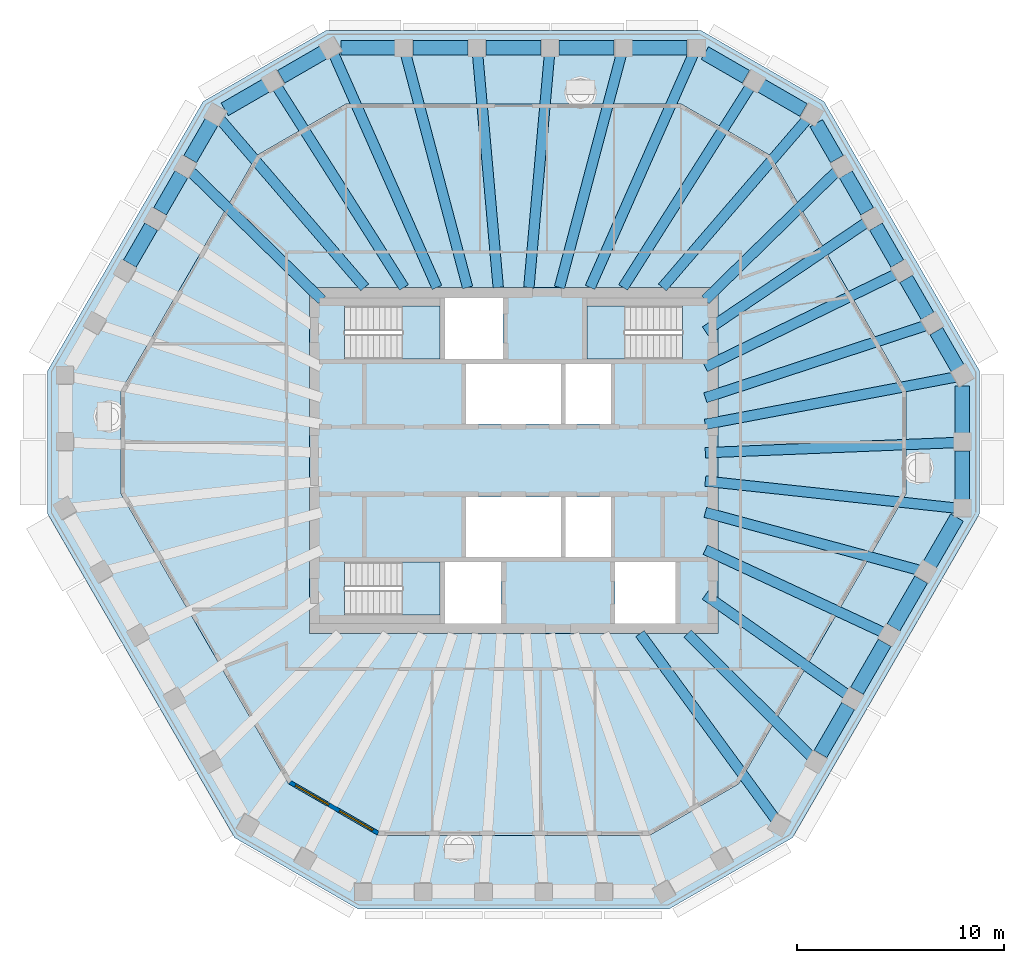
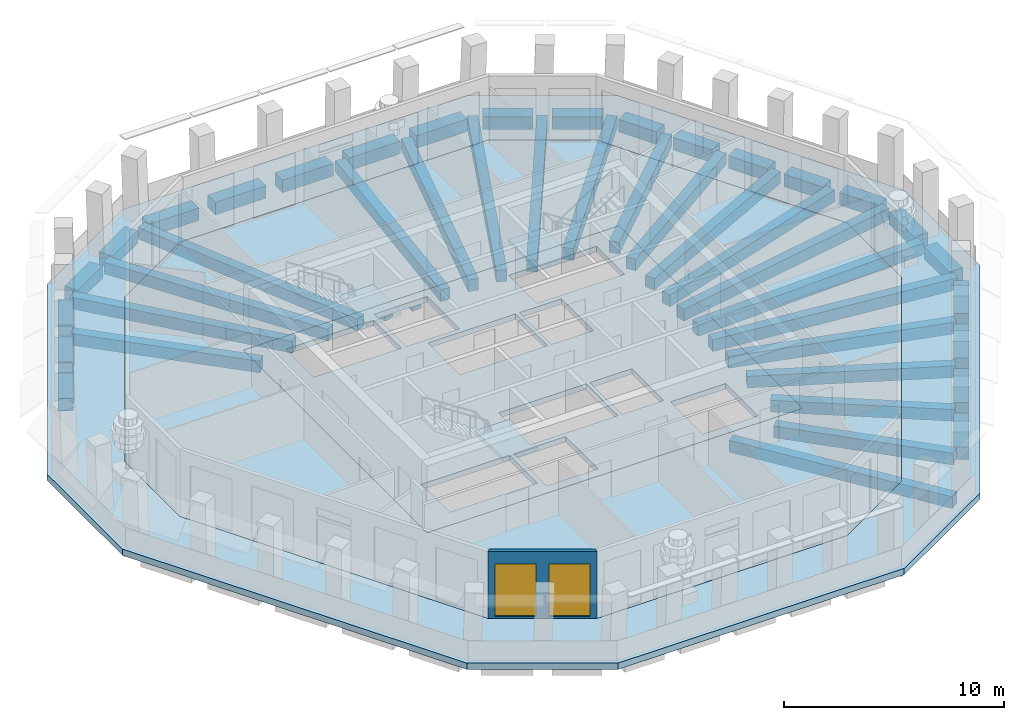
# One storey, part 2 of 11: 46 beams, 6 slabs, 2 windows, 1 wall, 2 openings, 3 elements without a shape of their own.
"""IFC4 building model written with IfcOpenShell, lengths in metres."""

from ifc_helpers import new_model, si_unit, direction, frame, frame_2d, origin, origin_2d, place, context, subcontext, project, spatial, polyline, rectangle, outline, extrude, material, layer, layer_set, material_profile, profile_set, type_object, element, fill, aggregate, save


model = new_model("IFC4")

# Units and contexts
model_context = context("Model", 3, precision=1e-05, world=origin(), true_north=direction((0.0, 1.0)))
body_context = subcontext(model_context, "Body", "Model", "MODEL_VIEW")
ifc_project = project(units=[si_unit("LENGTHUNIT", "METRE"), si_unit("AREAUNIT", "SQUARE_METRE"), si_unit("VOLUMEUNIT", "CUBIC_METRE"), si_unit("PLANEANGLEUNIT", "RADIAN"), si_unit("MASSUNIT", "GRAM", prefix="KILO")], contexts=[model_context])

# Site, building, storey
site_placement = place(None, origin())
site = spatial("IfcSite", under=ifc_project, at=site_placement, CompositionType="ELEMENT")
building_placement = place(site_placement, origin())
building = spatial("IfcBuilding", under=site, at=building_placement, Name="Frailejon Research Tower", CompositionType="ELEMENT")
storey_placement = place(building_placement, frame((0.0, 0.0, 336.60009765625)))
storey = spatial("IfcBuildingStorey", under=building, at=storey_placement, Name="L75", CompositionType="ELEMENT", Elevation=336.60009765625)

# Beams
ifc_material_1 = material(Name="Concrete C60/75", Category="concrete")
ifc_material_profile_1 = material_profile(ifc_material_1, rectangle(XDim=0.5, YDim=0.64990234375, at=origin_2d()), Name="Girder 500x650")
ifc_profile_set_1 = profile_set([ifc_material_profile_1], Name="Concrete C60/75")
beam_type_1 = type_object("IfcBeamType", Name="Girder 500x650", PredefinedType="BEAM", material=ifc_profile_set_1)
beam_1_placement = place(storey_placement, frame((21.359619140625, -2.29638671875, -0.625), z_axis=(-0.994269576225, 0.106901869922, 0.0), x_axis=(-0.106901869922, -0.994269576225, 0.0)))
element("IfcBeam", 1, at=beam_1_placement, inside=storey, type_object=beam_type_1, Name="Girder 500x650", PredefinedType="BEAM", context=body_context, shape_type="SweptSolid", body=[
    extrude(rectangle(XDim=0.5, YDim=0.64990234375, at=origin_2d()), origin(), (0.0, 0.0, 1.0), 12.179443359375),
])
beam_2_placement = place(storey_placement, frame((21.3603515625, 0.86865234375, -0.625), z_axis=(-0.999174322855, -0.040628469664, 0.0), x_axis=(0.040628469664, -0.999174322855, 0.0)))
element("IfcBeam", 2, at=beam_2_placement, inside=storey, type_object=beam_type_1, Name="Girder 500x650", PredefinedType="BEAM", context=body_context, shape_type="SweptSolid", body=[
    extrude(rectangle(XDim=0.5, YDim=0.64990234375, at=origin_2d()), origin(), (0.0, 0.0, 1.0), 12.120361328125),
])
beam_3_placement = place(storey_placement, frame((21.34033203125, 4.0302734375, -0.625), z_axis=(-0.98262828321, -0.185584635775, 0.0), x_axis=(0.185584635775, -0.98262828321, 0.0)))
element("IfcBeam", 3, at=beam_3_placement, inside=storey, type_object=beam_type_1, Name="Girder 500x650", PredefinedType="BEAM", context=body_context, shape_type="SweptSolid", body=[
    extrude(rectangle(XDim=0.5, YDim=0.64990234375, at=origin_2d()), origin(), (0.0, 0.0, 1.0), 12.303955078125),
])
beam_4_placement = place(storey_placement, frame((19.909423828125, 6.51904296875, -0.625), z_axis=(-0.950352429093, -0.311175610415, 0.0), x_axis=(0.311175610415, -0.950352429093, 0.0)))
element("IfcBeam", 4, at=beam_4_placement, inside=storey, type_object=beam_type_1, Name="Girder 500x650", PredefinedType="BEAM", context=body_context, shape_type="SweptSolid", body=[
    extrude(rectangle(XDim=0.5, YDim=0.64990234375, at=origin_2d()), origin(), (0.0, 0.0, 1.0), 11.21630859375),
])
beam_5_placement = place(storey_placement, frame((18.475830078125, 9.00830078125, -0.625), z_axis=(-0.898849583865, -0.438257259592, 0.0), x_axis=(0.438257259592, -0.898849583865, 0.0)))
element("IfcBeam", 5, at=beam_5_placement, inside=storey, type_object=beam_type_1, Name="Girder 500x650", PredefinedType="BEAM", context=body_context, shape_type="SweptSolid", body=[
    extrude(rectangle(XDim=0.5, YDim=0.64990234375, at=origin_2d()), origin(), (0.0, 0.0, 1.0), 10.26416015625),
])
beam_6_placement = place(storey_placement, frame((17.039306640625, 11.496337890625, -0.625), z_axis=(-0.828967634301, -0.559296577212, 0.0), x_axis=(0.559296577212, -0.828967634301, 0.0)))
element("IfcBeam", 6, at=beam_6_placement, inside=storey, type_object=beam_type_1, Name="Girder 500x650", PredefinedType="BEAM", context=body_context, shape_type="SweptSolid", body=[
    extrude(rectangle(XDim=0.5, YDim=0.64990234375, at=origin_2d()), origin(), (0.0, 0.0, 1.0), 9.396484375),
])
beam_7_placement = place(storey_placement, frame((15.605712890625, 13.97021484375, -0.625), z_axis=(-0.71468394908, -0.699447534078, 0.0), x_axis=(0.699447534078, -0.71468394908, 0.0)))
element("IfcBeam", 7, at=beam_7_placement, inside=storey, type_object=beam_type_1, Name="Girder 500x650", PredefinedType="BEAM", context=body_context, shape_type="SweptSolid", body=[
    extrude(rectangle(XDim=0.5, YDim=0.64990234375, at=origin_2d()), origin(), (0.0, 0.0, 1.0), 8.89306640625),
])
beam_8_placement = place(storey_placement, frame((14.172119140625, 16.479736328125, -0.625), z_axis=(-0.652024347393, -0.75819802849, 0.0), x_axis=(0.75819802849, -0.652024347393, 0.0)))
element("IfcBeam", 8, at=beam_8_placement, inside=storey, type_object=beam_type_1, Name="Girder 500x650", PredefinedType="BEAM", context=body_context, shape_type="SweptSolid", body=[
    extrude(rectangle(XDim=0.5, YDim=0.64990234375, at=origin_2d()), origin(), (0.0, 0.0, 1.0), 10.722412109375),
])
beam_9_placement = place(storey_placement, frame((11.4326171875, 18.064208984375, -0.625), z_axis=(-0.534798936876, -0.844979347154, 0.0), x_axis=(0.844979347154, -0.534798936876, 0.0)))
element("IfcBeam", 9, at=beam_9_placement, inside=storey, type_object=beam_type_1, Name="Girder 500x650", PredefinedType="BEAM", context=body_context, shape_type="SweptSolid", body=[
    extrude(rectangle(XDim=0.5, YDim=0.64990234375, at=origin_2d()), origin(), (0.0, 0.0, 1.0), 11.496337890625),
])
beam_10_placement = place(storey_placement, frame((8.676025390625, 19.6123046875, -0.625), z_axis=(-0.404561496054, -0.914510795951, 0.0), x_axis=(0.914510795951, -0.404561496054, 0.0)))
element("IfcBeam", 10, at=beam_10_placement, inside=storey, type_object=beam_type_1, Name="Girder 500x650", PredefinedType="BEAM", context=body_context, shape_type="SweptSolid", body=[
    extrude(rectangle(XDim=0.5, YDim=0.64990234375, at=origin_2d()), origin(), (0.0, 0.0, 1.0), 12.31494140625),
])
beam_11_placement = place(storey_placement, frame((5.207763671875, 19.6201171875, -0.625), z_axis=(-0.256550865302, -0.966530730765, 0.0), x_axis=(0.966530730765, -0.256550865302, 0.0)))
element("IfcBeam", 11, at=beam_11_placement, inside=storey, type_object=beam_type_1, Name="Girder 500x650", PredefinedType="BEAM", context=body_context, shape_type="SweptSolid", body=[
    extrude(rectangle(XDim=0.5, YDim=0.64990234375, at=origin_2d()), origin(), (0.0, 0.0, 1.0), 11.660400390625),
])
for number, where, z_axis, x_axis, name in (
    (12, (1.736328125, 19.62451171875, -0.625), (-0.088135541258, -0.996108491263, 0.0), (0.996108491263, -0.088135541258, 0.0), "Girder 500x650"),
    (13, (-1.736328125, 19.62451171875, -0.625), (0.088135541258, -0.996108491263, 0.0), (0.996108491263, 0.088135541258, 0.0), "Girder 500x650"),
):
    element("IfcBeam", number, at=place(storey_placement, frame(where, z_axis=z_axis, x_axis=x_axis)), inside=storey, type_object=beam_type_1, Name=name, PredefinedType="BEAM", context=body_context, shape_type="SweptSolid", body=[
        extrude(rectangle(XDim=0.5, YDim=0.64990234375, at=origin_2d()), origin(), (0.0, 0.0, 1.0), 11.318359375),
    ])
beam_12_placement = place(storey_placement, frame((-5.207763671875, 19.6201171875, -0.625), z_axis=(0.256550865302, -0.966530730765, 0.0), x_axis=(0.966530730765, 0.256550865302, 0.0)))
element("IfcBeam", 14, at=beam_12_placement, inside=storey, type_object=beam_type_1, Name="Girder 500x650", PredefinedType="BEAM", context=body_context, shape_type="SweptSolid", body=[
    extrude(rectangle(XDim=0.5, YDim=0.64990234375, at=origin_2d()), origin(), (0.0, 0.0, 1.0), 11.660400390625),
])
beam_13_placement = place(storey_placement, frame((-8.691162109375, 19.646240234375, -0.625), z_axis=(0.404569912289, -0.914507072729, 0.0), x_axis=(0.914507072729, 0.404569912289, 0.0)))
element("IfcBeam", 15, at=beam_13_placement, inside=storey, type_object=beam_type_1, Name="Girder 500x650", PredefinedType="BEAM", context=body_context, shape_type="SweptSolid", body=[
    extrude(rectangle(XDim=0.5, YDim=0.64990234375, at=origin_2d()), origin(), (0.0, 0.0, 1.0), 12.35205078125),
])
beam_14_placement = place(storey_placement, frame((-11.4326171875, 18.064208984375, -0.625), z_axis=(0.534798936876, -0.844979347154, 0.0), x_axis=(0.844979347154, 0.534798936876, 0.0)))
element("IfcBeam", 16, at=beam_14_placement, inside=storey, type_object=beam_type_1, Name="Girder 500x650", PredefinedType="BEAM", context=body_context, shape_type="SweptSolid", body=[
    extrude(rectangle(XDim=0.5, YDim=0.64990234375, at=origin_2d()), origin(), (0.0, 0.0, 1.0), 11.496337890625),
])
beam_15_placement = place(storey_placement, frame((-14.16064453125, 16.46630859375, -0.625), z_axis=(0.65202825597, -0.758194667231, 0.0), x_axis=(0.758194667231, 0.65202825597, 0.0)))
element("IfcBeam", 17, at=beam_15_placement, inside=storey, type_object=beam_type_1, Name="Girder 500x650", PredefinedType="BEAM", context=body_context, shape_type="SweptSolid", body=[
    extrude(rectangle(XDim=0.5, YDim=0.64990234375, at=origin_2d()), origin(), (0.0, 0.0, 1.0), 10.70458984375),
])
beam_16_placement = place(storey_placement, frame((-15.605712890625, 13.97021484375, -0.625), z_axis=(0.71468394908, -0.699447534078, 0.0), x_axis=(0.699447534078, 0.71468394908, 0.0)))
element("IfcBeam", 18, at=beam_16_placement, inside=storey, type_object=beam_type_1, Name="Girder 500x650", PredefinedType="BEAM", context=body_context, shape_type="SweptSolid", body=[
    extrude(rectangle(XDim=0.5, YDim=0.64990234375, at=origin_2d()), origin(), (0.0, 0.0, 1.0), 8.89306640625),
])
beam_17_placement = place(storey_placement, frame((12.646728515625, -17.319580078125, -0.625), z_axis=(-0.589719480824, 0.807608156185, 0.0), x_axis=(-0.807608156185, -0.589719480824, 0.0)))
element("IfcBeam", 19, at=beam_17_placement, inside=storey, type_object=beam_type_1, Name="Girder 500x650", PredefinedType="BEAM", context=body_context, shape_type="SweptSolid", body=[
    extrude(rectangle(XDim=0.5, YDim=0.64990234375, at=origin_2d()), origin(), (0.0, 0.0, 1.0), 11.106201171875),
])
beam_18_placement = place(storey_placement, frame((14.3876953125, -14.31982421875, -0.625), z_axis=(-0.70879243691, 0.705417097453, 0.0), x_axis=(-0.705417097453, -0.70879243691, 0.0)))
element("IfcBeam", 20, at=beam_18_placement, inside=storey, type_object=beam_type_1, Name="Girder 500x650", PredefinedType="BEAM", context=body_context, shape_type="SweptSolid", body=[
    extrude(rectangle(XDim=0.5, YDim=0.64990234375, at=origin_2d()), origin(), (0.0, 0.0, 1.0), 8.462646484375),
])
beam_19_placement = place(storey_placement, frame((16.127197265625, -11.31591796875, -0.625), z_axis=(-0.8185938474, 0.574372799668, 0.0), x_axis=(-0.574372799668, -0.8185938474, 0.0)))
element("IfcBeam", 21, at=beam_19_placement, inside=storey, type_object=beam_type_1, Name="Girder 500x650", PredefinedType="BEAM", context=body_context, shape_type="SweptSolid", body=[
    extrude(rectangle(XDim=0.5, YDim=0.64990234375, at=origin_2d()), origin(), (0.0, 0.0, 1.0), 8.401123046875),
])
beam_20_placement = place(storey_placement, frame((17.86328125, -8.30859375, -0.625), z_axis=(-0.90671425525, 0.421745491175, 0.0), x_axis=(-0.421745491175, -0.90671425525, 0.0)))
element("IfcBeam", 22, at=beam_20_placement, inside=storey, type_object=beam_type_1, Name="Girder 500x650", PredefinedType="BEAM", context=body_context, shape_type="SweptSolid", body=[
    extrude(rectangle(XDim=0.5, YDim=0.64990234375, at=origin_2d()), origin(), (0.0, 0.0, 1.0), 9.49951171875),
])
beam_21_placement = place(storey_placement, frame((19.59521484375, -5.300048828125, -0.625), z_axis=(-0.965314216478, 0.261090910347, 0.0), x_axis=(-0.261090910347, -0.965314216478, 0.0)))
element("IfcBeam", 23, at=beam_21_placement, inside=storey, type_object=beam_type_1, Name="Girder 500x650", PredefinedType="BEAM", context=body_context, shape_type="SweptSolid", body=[
    extrude(rectangle(XDim=0.5, YDim=0.64990234375, at=origin_2d()), origin(), (0.0, 0.0, 1.0), 10.717041015625),
])
ifc_material_2 = material(Name="Concrete C60/75", Category="concrete")
ifc_material_profile_2 = material_profile(ifc_material_2, rectangle(XDim=0.699951171875, YDim=0.699951171875, at=origin_2d()), Name="Spandrel 700x700")
ifc_profile_set_2 = profile_set([ifc_material_profile_2], Name="Concrete C60/75")
beam_type_2 = type_object("IfcBeamType", Name="Spandrel 700x700", PredefinedType="BEAM", material=ifc_profile_set_2)
beam_22_placement = place(storey_placement, frame((21.635498046875, -1.901123046875, -0.7001953125), z_axis=(0.0, 1.0, 0.0), x_axis=(-1.0, 0.0, 0.0)))
element("IfcBeam", 24, at=beam_22_placement, inside=storey, type_object=beam_type_2, Name="Spandrel 700x700", PredefinedType="BEAM", context=body_context, shape_type="SweptSolid", body=[
    extrude(rectangle(XDim=0.699951171875, YDim=0.699951171875, at=origin_2d()), origin(), (0.0, 0.0, 1.0), 2.35595703125),
])
beam_23_placement = place(storey_placement, frame((21.635498046875, 1.304931640625, -0.7001953125), z_axis=(0.0, 1.0, 0.0), x_axis=(-1.0, 0.0, 0.0)))
element("IfcBeam", 25, at=beam_23_placement, inside=storey, type_object=beam_type_2, Name="Spandrel 700x700", PredefinedType="BEAM", context=body_context, shape_type="SweptSolid", body=[
    extrude(rectangle(XDim=0.699951171875, YDim=0.699951171875, at=origin_2d()), origin(), (0.0, 0.0, 1.0), 2.290283203125),
])
for number, where, z_axis, x_axis, name in (
    (26, (21.423095703125, 4.4541015625, -0.7001953125), (-0.500074377092, 0.865982457891, 0.0), (-0.865982457891, -0.500074377092, 0.0), "Spandrel 700x700"),
    (27, (19.96728515625, 6.9755859375, -0.7001953125), (-0.500074377092, 0.865982457891, 0.0), (-0.865982457891, -0.500074377092, 0.0), "Spandrel 700x700"),
    (28, (18.511474609375, 9.497314453125, -0.7001953125), (-0.500074377092, 0.865982457891, 0.0), (-0.865982457891, -0.500074377092, 0.0), "Spandrel 700x700"),
):
    element("IfcBeam", number, at=place(storey_placement, frame(where, z_axis=z_axis, x_axis=x_axis)), inside=storey, type_object=beam_type_2, Name=name, PredefinedType="BEAM", context=body_context, shape_type="SweptSolid", body=[
        extrude(rectangle(XDim=0.699951171875, YDim=0.699951171875, at=origin_2d()), origin(), (0.0, 0.0, 1.0), 2.061767578125),
    ])
beam_24_placement = place(storey_placement, frame((17.055419921875, 12.018798828125, -0.7001953125), z_axis=(-0.499985565371, 0.866033737461, 0.0), x_axis=(-0.866033737461, -0.499985565371, 0.0)))
element("IfcBeam", 29, at=beam_24_placement, inside=storey, type_object=beam_type_2, Name="Spandrel 700x700", PredefinedType="BEAM", context=body_context, shape_type="SweptSolid", body=[
    extrude(rectangle(XDim=0.699951171875, YDim=0.699951171875, at=origin_2d()), origin(), (0.0, 0.0, 1.0), 2.0615234375),
])
beam_25_placement = place(storey_placement, frame((15.599609375, 14.540283203125, -0.7001953125), z_axis=(-0.499941291603, 0.86605929644, 0.0), x_axis=(-0.86605929644, -0.499941291603, 0.0)))
element("IfcBeam", 30, at=beam_25_placement, inside=storey, type_object=beam_type_2, Name="Spandrel 700x700", PredefinedType="BEAM", context=body_context, shape_type="SweptSolid", body=[
    extrude(rectangle(XDim=0.699951171875, YDim=0.699951171875, at=origin_2d()), origin(), (0.0, 0.0, 1.0), 1.995849609375),
])
beam_26_placement = place(storey_placement, frame((13.98828125, 16.906494140625, -0.7001953125), z_axis=(-0.866021643438, 0.500006513054, 0.0), x_axis=(-0.500006513054, -0.866021643438, 0.0)))
element("IfcBeam", 31, at=beam_26_placement, inside=storey, type_object=beam_type_2, Name="Spandrel 700x700", PredefinedType="BEAM", context=body_context, shape_type="SweptSolid", body=[
    extrude(rectangle(XDim=0.699951171875, YDim=0.699951171875, at=origin_2d()), origin(), (0.0, 0.0, 1.0), 2.35595703125),
])
beam_27_placement = place(storey_placement, frame((11.211669921875, 18.509521484375, -0.7001953125), z_axis=(-0.866043571379, 0.499968531483, 0.0), x_axis=(-0.499968531483, -0.866043571379, 0.0)))
element("IfcBeam", 32, at=beam_27_placement, inside=storey, type_object=beam_type_2, Name="Spandrel 700x700", PredefinedType="BEAM", context=body_context, shape_type="SweptSolid", body=[
    extrude(rectangle(XDim=0.699951171875, YDim=0.699951171875, at=origin_2d()), origin(), (0.0, 0.0, 1.0), 2.290283203125),
])
beam_28_placement = place(storey_placement, frame((8.37841796875, 19.89990234375, -0.7001953125), z_axis=(-1.0, 0.0, 0.0), x_axis=(0.0, -1.0, 0.0)))
element("IfcBeam", 33, at=beam_28_placement, inside=storey, type_object=beam_type_2, Name="Spandrel 700x700", PredefinedType="BEAM", context=body_context, shape_type="SweptSolid", body=[
    extrude(rectangle(XDim=0.699951171875, YDim=0.699951171875, at=origin_2d()), origin(), (0.0, 0.0, 1.0), 2.67138671875),
])
beam_29_placement = place(storey_placement, frame((4.85693359375, 19.89990234375, -0.7001953125), z_axis=(-1.0, 0.0, 0.0), x_axis=(0.0, -1.0, 0.0)))
element("IfcBeam", 34, at=beam_29_placement, inside=storey, type_object=beam_type_2, Name="Spandrel 700x700", PredefinedType="BEAM", context=body_context, shape_type="SweptSolid", body=[
    extrude(rectangle(XDim=0.699951171875, YDim=0.699951171875, at=origin_2d()), origin(), (0.0, 0.0, 1.0), 2.671142578125),
])
beam_30_placement = place(storey_placement, frame((1.335693359375, 19.89990234375, -0.7001953125), z_axis=(-1.0, 0.0, 0.0), x_axis=(0.0, -1.0, 0.0)))
element("IfcBeam", 35, at=beam_30_placement, inside=storey, type_object=beam_type_2, Name="Spandrel 700x700", PredefinedType="BEAM", context=body_context, shape_type="SweptSolid", body=[
    extrude(rectangle(XDim=0.699951171875, YDim=0.699951171875, at=origin_2d()), origin(), (0.0, 0.0, 1.0), 2.67138671875),
])
beam_31_placement = place(storey_placement, frame((-2.185791015625, 19.89990234375, -0.7001953125), z_axis=(-1.0, 0.0, 0.0), x_axis=(0.0, -1.0, 0.0)))
element("IfcBeam", 36, at=beam_31_placement, inside=storey, type_object=beam_type_2, Name="Spandrel 700x700", PredefinedType="BEAM", context=body_context, shape_type="SweptSolid", body=[
    extrude(rectangle(XDim=0.699951171875, YDim=0.699951171875, at=origin_2d()), origin(), (0.0, 0.0, 1.0), 2.671142578125),
])
beam_32_placement = place(storey_placement, frame((-5.70703125, 19.89990234375, -0.7001953125), z_axis=(-1.0, 0.0, 0.0), x_axis=(0.0, -1.0, 0.0)))
element("IfcBeam", 37, at=beam_32_placement, inside=storey, type_object=beam_type_2, Name="Spandrel 700x700", PredefinedType="BEAM", context=body_context, shape_type="SweptSolid", body=[
    extrude(rectangle(XDim=0.699951171875, YDim=0.699951171875, at=origin_2d()), origin(), (0.0, 0.0, 1.0), 2.60546875),
])
beam_33_placement = place(storey_placement, frame((-9.17138671875, 19.6875, -0.7001953125), z_axis=(-0.866021643438, -0.500006513054, 0.0), x_axis=(0.500006513054, -0.866021643438, 0.0)))
element("IfcBeam", 38, at=beam_33_placement, inside=storey, type_object=beam_type_2, Name="Spandrel 700x700", PredefinedType="BEAM", context=body_context, shape_type="SweptSolid", body=[
    extrude(rectangle(XDim=0.699951171875, YDim=0.699951171875, at=origin_2d()), origin(), (0.0, 0.0, 1.0), 2.35595703125),
])
beam_34_placement = place(storey_placement, frame((-11.947998046875, 18.08447265625, -0.7001953125), z_axis=(-0.86599741159, -0.500048480769, 0.0), x_axis=(0.500048480769, -0.86599741159, 0.0)))
element("IfcBeam", 39, at=beam_34_placement, inside=storey, type_object=beam_type_2, Name="Spandrel 700x700", PredefinedType="BEAM", context=body_context, shape_type="SweptSolid", body=[
    extrude(rectangle(XDim=0.699951171875, YDim=0.699951171875, at=origin_2d()), origin(), (0.0, 0.0, 1.0), 2.290283203125),
])
for number, where, z_axis, x_axis, name in (
    (40, (-14.56884765625, 16.32568359375, -0.7001953125), (-0.499985565371, -0.866033737461, 0.0), (0.866033737461, -0.499985565371, 0.0), "Spandrel 700x700"),
    (41, (-16.024658203125, 13.80419921875, -0.7001953125), (-0.499985565371, -0.866033737461, 0.0), (0.866033737461, -0.499985565371, 0.0), "Spandrel 700x700"),
):
    element("IfcBeam", number, at=place(storey_placement, frame(where, z_axis=z_axis, x_axis=x_axis)), inside=storey, type_object=beam_type_2, Name=name, PredefinedType="BEAM", context=body_context, shape_type="SweptSolid", body=[
        extrude(rectangle(XDim=0.699951171875, YDim=0.699951171875, at=origin_2d()), origin(), (0.0, 0.0, 1.0), 2.0615234375),
    ])
beam_35_placement = place(storey_placement, frame((-17.48046875, 11.28271484375, -0.7001953125), z_axis=(-0.500074377092, -0.865982457891, 0.0), x_axis=(0.865982457891, -0.500074377092, 0.0)))
element("IfcBeam", 42, at=beam_35_placement, inside=storey, type_object=beam_type_2, Name="Spandrel 700x700", PredefinedType="BEAM", context=body_context, shape_type="SweptSolid", body=[
    extrude(rectangle(XDim=0.699951171875, YDim=0.699951171875, at=origin_2d()), origin(), (0.0, 0.0, 1.0), 2.061767578125),
])
for number, where, z_axis, x_axis, name in (
    (43, (14.805419921875, -14.15625, -0.7001953125), (0.500041553743, 0.86600141139, 0.0), (-0.86600141139, 0.500041553743, 0.0), "Spandrel 700x700"),
    (44, (16.566162109375, -11.106689453125, -0.7001953125), (0.499933429404, 0.866063834924, 0.0), (-0.866063834924, 0.499933429404, 0.0), "Spandrel 700x700"),
    (45, (18.32666015625, -8.05712890625, -0.7001953125), (0.500041553743, 0.86600141139, 0.0), (-0.86600141139, 0.500041553743, 0.0), "Spandrel 700x700"),
):
    element("IfcBeam", number, at=place(storey_placement, frame(where, z_axis=z_axis, x_axis=x_axis)), inside=storey, type_object=beam_type_2, Name=name, PredefinedType="BEAM", context=body_context, shape_type="SweptSolid", body=[
        extrude(rectangle(XDim=0.699951171875, YDim=0.699951171875, at=origin_2d()), origin(), (0.0, 0.0, 1.0), 2.671142578125),
    ])
beam_36_placement = place(storey_placement, frame((20.08740234375, -5.007568359375, -0.7001953125), z_axis=(0.500009052715, 0.866020177134, 0.0), x_axis=(-0.866020177134, 0.500009052715, 0.0)))
element("IfcBeam", 46, at=beam_36_placement, inside=storey, type_object=beam_type_2, Name="Spandrel 700x700", PredefinedType="BEAM", context=body_context, shape_type="SweptSolid", body=[
    extrude(rectangle(XDim=0.699951171875, YDim=0.699951171875, at=origin_2d()), origin(), (0.0, 0.0, 1.0), 2.60546875),
])

# Slabs
ifc_material_3 = material(Name="Concrete C50/60", Category="concrete")
ifc_layer_1 = layer(ifc_material_3, 0.300048828125)
ifc_layer_set_1 = layer_set([ifc_layer_1], Name="Core floor slab 300 C50/60")
slab_type_1 = type_object("IfcSlabType", Name="Core floor slab 300 C50/60", PredefinedType="FLOOR", material=ifc_layer_set_1)
slab_1_placement = place(storey_placement, frame((0.0, 0.0, -0.300048828125)))
element("IfcSlab", 47, at=slab_1_placement, inside=storey, type_object=slab_type_1, Name="Core floor slab", PredefinedType="FLOOR", context=body_context, shape_type="SweptSolid", body=[
    extrude(outline(polyline([(9.85009765625, -8.35009765625), (9.85009765625, 8.35009765625), (-9.85009765625, 8.35009765625), (-9.85009765625, -8.35009765625), (9.85009765625, -8.35009765625)]), holes=[polyline([(2.300048828125, 1.75), (2.300048828125, 4.64990234375), (-2.300048828125, 4.64990234375), (-2.300048828125, 1.75), (2.300048828125, 1.75)]), polyline([(4.699951171875, 1.75), (4.699951171875, 4.64990234375), (2.5, 4.64990234375), (2.5, 1.75), (4.699951171875, 1.75)]), polyline([(2.300048828125, -4.64990234375), (2.300048828125, -1.75), (-2.300048828125, -1.75), (-2.300048828125, -4.64990234375), (2.300048828125, -4.64990234375)]), polyline([(4.699951171875, -4.64990234375), (4.699951171875, -1.75), (2.5, -1.75), (2.5, -4.64990234375), (4.699951171875, -4.64990234375)]), polyline([(-8.14697265625, 4.89990234375), (-3.550048828125, 4.89990234375), (-3.550048828125, 7.449951171875), (-8.14697265625, 7.449951171875), (-8.14697265625, 4.89990234375)]), polyline([(-8.14697265625, -7.449951171875), (-3.550048828125, -7.449951171875), (-3.550048828125, -4.89990234375), (-8.14697265625, -4.89990234375), (-8.14697265625, -7.449951171875)]), polyline([(8.14697265625, 7.449951171875), (3.550048828125, 7.449951171875), (3.550048828125, 4.89990234375), (8.14697265625, 4.89990234375), (8.14697265625, 7.449951171875)]), polyline([(-0.60009765625, -7.85009765625), (-0.60009765625, -4.89990234375), (-3.300048828125, -4.89990234375), (-3.300048828125, -7.85009765625), (-0.60009765625, -7.85009765625)]), polyline([(7.800048828125, -7.85009765625), (7.800048828125, -4.89990234375), (4.89990234375, -4.89990234375), (4.89990234375, -7.85009765625), (7.800048828125, -7.85009765625)]), polyline([(-0.5, 4.89990234375), (-0.5, 7.85009765625), (-3.300048828125, 7.85009765625), (-3.300048828125, 4.89990234375), (-0.5, 4.89990234375)])]), origin(), (0.0, 0.0, 1.0), 0.300048828125),
])
ifc_material_4 = material(Name="Concrete C40/50", Category="concrete")
ifc_layer_2 = layer(ifc_material_4, 0.35009765625)
ifc_layer_set_2 = layer_set([ifc_layer_2], Name="Loggia slab 350")
slab_type_2 = type_object("IfcSlabType", Name="Loggia slab 350", PredefinedType="USERDEFINED", material=ifc_layer_set_2)
slab_2_placement = place(storey_placement, frame((0.0, 0.0, -0.35009765625)))
element("IfcSlab", 48, at=slab_2_placement, inside=storey, type_object=slab_type_2, Name="Loggia slab L75", ObjectType="LOGGIA", PredefinedType="USERDEFINED", context=body_context, shape_type="SweptSolid", body=[
    extrude(outline(polyline([(13.45458984375, -18.196044921875), (7.5068359375, -21.6298828125), (-7.5068359375, -21.6298828125), (-13.45458984375, -18.196044921875), (-22.485595703125, -2.553955078125), (-22.485595703125, 4.313720703125), (-14.978515625, 17.316162109375), (-9.031005859375, 20.75), (9.031005859375, 20.75), (14.978515625, 17.316162109375), (22.485595703125, 4.313720703125), (22.485595703125, -2.553955078125), (13.45458984375, -18.196044921875)]), holes=[polyline([(18.935546875, 3.362548828125), (12.3798828125, 14.71728515625), (8.079833984375, 17.199951171875), (-8.079833984375, 17.199951171875), (-12.3798828125, 14.71728515625), (-18.935546875, 3.362548828125), (-18.935546875, -1.602783203125), (-10.855712890625, -15.597412109375), (-6.5556640625, -18.079833984375), (6.5556640625, -18.079833984375), (10.855712890625, -15.597412109375), (18.935546875, -1.602783203125), (18.935546875, 3.362548828125)])]), origin(), (0.0, 0.0, 1.0), 0.35009765625),
])
ifc_material_5 = material(Name="Concrete C40/50", Category="concrete")
ifc_layer_3 = layer(ifc_material_5, 0.300048828125)
ifc_layer_set_3 = layer_set([ifc_layer_3], Name="Slab typical 300")
slab_type_3 = type_object("IfcSlabType", Name="Slab typical 300", PredefinedType="FLOOR", material=ifc_layer_set_3)
slab_3_placement = place(storey_placement, frame((0.0, 0.0, -0.300048828125)))
element("IfcSlab", 49, at=slab_3_placement, inside=storey, type_object=slab_type_3, Name="Floor slab L75", PredefinedType="FLOOR", context=body_context, shape_type="SweptSolid", body=[
    extrude(outline(polyline([(18.935546875, -1.602783203125), (18.935546875, 3.362548828125), (12.3798828125, 14.71728515625), (8.079833984375, 17.199951171875), (-8.079833984375, 17.199951171875), (-12.3798828125, 14.71728515625), (-18.935546875, 3.362548828125), (-18.935546875, -1.602783203125), (-10.855712890625, -15.597412109375), (-6.5556640625, -18.079833984375), (6.5556640625, -18.079833984375), (10.855712890625, -15.597412109375), (18.935546875, -1.602783203125)]), holes=[polyline([(9.25, 8.35009765625), (9.85009765625, 8.35009765625), (9.85009765625, -8.35009765625), (9.25, -8.35009765625), (-9.25, -8.35009765625), (-9.85009765625, -8.35009765625), (-9.85009765625, 8.35009765625), (-9.25, 8.35009765625), (9.25, 8.35009765625)])]), origin(), (0.0, 0.0, 1.0), 0.300048828125),
])

# Stair, slab
ifc_material_6 = material(Name="Concrete C50/60", Category="concrete")
stair_type = type_object("IfcStairType", Name="Exit stair 22 risers", PredefinedType="HALF_TURN_STAIR", material=ifc_material_6)
stair_1_placement = place(storey_placement, origin())
stair_1 = element("IfcStair", 50, at=stair_1_placement, inside=storey, type_object=stair_type, Name="L75 Exit stair ST1", PredefinedType="HALF_TURN_STAIR")
ifc_material_7 = material(Name="Concrete C50/60", Category="concrete")
ifc_layer_4 = layer(ifc_material_7, 0.199951171875)
ifc_layer_set_4 = layer_set([ifc_layer_4], Name="Stair landing slab 200")
slab_type_4 = type_object("IfcSlabType", Name="Stair landing slab 200", PredefinedType="LANDING", material=ifc_layer_set_4)
slab_4_placement = place(storey_placement, frame((0.0, 0.0, 1.7998046875)))
slab_4 = element("IfcSlab", 51, at=slab_4_placement, type_object=slab_type_4, Name="ST1 landing 1", PredefinedType="LANDING", context=body_context, shape_type="SweptSolid", body=[
    extrude(outline(polyline([(-5.35009765625, 4.89990234375), (-3.550048828125, 4.89990234375), (-3.550048828125, 7.449951171875), (-5.35009765625, 7.449951171875), (-5.35009765625, 4.89990234375)])), origin(), (0.0, 0.0, 1.0), 0.2001953125),
])
aggregate(stair_1, [slab_4])

stair_2_placement = place(storey_placement, origin())
stair_2 = element("IfcStair", 52, at=stair_2_placement, inside=storey, type_object=stair_type, Name="L75 Exit stair ST2", PredefinedType="HALF_TURN_STAIR")
slab_5_placement = place(storey_placement, frame((0.0, 0.0, 1.7998046875)))
slab_5 = element("IfcSlab", 53, at=slab_5_placement, type_object=slab_type_4, Name="ST2 landing 1", PredefinedType="LANDING", context=body_context, shape_type="SweptSolid", body=[
    extrude(outline(polyline([(-5.35009765625, -7.449951171875), (-3.550048828125, -7.449951171875), (-3.550048828125, -4.89990234375), (-5.35009765625, -4.89990234375), (-5.35009765625, -7.449951171875)])), origin(), (0.0, 0.0, 1.0), 0.2001953125),
])
aggregate(stair_2, [slab_5])

stair_3_placement = place(storey_placement, origin())
stair_3 = element("IfcStair", 54, at=stair_3_placement, inside=storey, type_object=stair_type, Name="L75 Exit stair ST3", PredefinedType="HALF_TURN_STAIR")
slab_6_placement = place(storey_placement, frame((0.0, 0.0, 1.7998046875)))
slab_6 = element("IfcSlab", 55, at=slab_6_placement, type_object=slab_type_4, Name="ST3 landing 1", PredefinedType="LANDING", context=body_context, shape_type="SweptSolid", body=[
    extrude(outline(polyline([(5.35009765625, 7.449951171875), (3.550048828125, 7.449951171875), (3.550048828125, 4.89990234375), (5.35009765625, 4.89990234375), (5.35009765625, 7.449951171875)])), origin(), (0.0, 0.0, 1.0), 0.2001953125),
])
aggregate(stair_3, [slab_6])

# Wall, openings, windows
ifc_material_8 = material(Name="Concrete C40/50 precast window wall panel", Category="concrete")
ifc_layer_5 = layer(ifc_material_8, 0.199951171875)
ifc_layer_set_5 = layer_set([ifc_layer_5], Name="Window wall 200")
wall_type = type_object("IfcWallType", Name="Window wall 200", PredefinedType="SOLIDWALL", material=ifc_layer_set_5)
wall_placement = place(storey_placement, frame((-10.782470703125, -15.524169921875, 0.0), z_axis=(0.0, 0.0, 1.0), x_axis=(0.866029143232, -0.499993523031, 0.0)))
wall = element("IfcWall", 56, at=wall_placement, inside=storey, type_object=wall_type, Name="Exterior wall L75", PredefinedType="SOLIDWALL", context=body_context, shape_type="SweptSolid", body=[
    extrude(outline(polyline([(-0.02685546875, -0.10009765625), (1.21435546875, -0.10009765625), (2.455810546875, -0.10009765625), (3.697265625, -0.10009765625), (4.9384765625, -0.10009765625), (4.884765625, 0.10009765625), (3.67041015625, 0.10009765625), (2.455810546875, 0.10009765625), (1.2412109375, 0.10009765625), (0.02685546875, 0.10009765625), (-0.02685546875, -0.10009765625)])), origin(), (0.0, 0.0, 1.0), 3.699951171875),
])
opening_1_placement = place(wall_placement, frame((0.302978515625, 0.0, 0.10009765625)))
opening_1 = element("IfcOpeningElement", 57, at=opening_1_placement, cuts=wall, Name="Opening W26", PredefinedType="OPENING", context=body_context, shape_type="SweptSolid", body=[
    extrude(rectangle(XDim=1.85009765625, YDim=2.89990234375, at=frame_2d((0.925048828125, 1.449951171875))), frame((0.0, 0.10986328125, 0.0), z_axis=(0.0, -1.0, 0.0), x_axis=(1.0, 0.0, 0.0)), (0.0, 0.0, 1.0), 0.219970703125),
])
opening_2_placement = place(wall_placement, frame((2.7587890625, 0.0, 0.10009765625)))
opening_2 = element("IfcOpeningElement", 58, at=opening_2_placement, cuts=wall, Name="Opening W26", PredefinedType="OPENING", context=body_context, shape_type="SweptSolid", body=[
    extrude(rectangle(XDim=1.85009765625, YDim=2.89990234375, at=frame_2d((0.925048828125, 1.449951171875))), frame((0.0, 0.10986328125, 0.0), z_axis=(0.0, -1.0, 0.0), x_axis=(1.0, 0.0, 0.0)), (0.0, 0.0, 1.0), 0.219970703125),
])
ifc_material_9 = material(Name="Aluminium framed double glazing", Category="aluminium")
window_type = type_object("IfcWindowType", Name="Window 1850x2900", PartitioningType="SINGLE_PANEL", PredefinedType="WINDOW", material=ifc_material_9)
window_1_placement = place(opening_1_placement, origin())
window_1 = element("IfcWindow", 59, at=window_1_placement, inside=storey, type_object=window_type, Name="Window L75", OverallHeight=2.89990234375, OverallWidth=1.85009765625, PartitioningType="SINGLE_PANEL", PredefinedType="WINDOW", context=body_context, shape_type="SweptSolid", body=[
    extrude(rectangle(XDim=1.85009765625, YDim=2.89990234375, at=frame_2d((0.925048828125, 1.449951171875))), frame((0.0, 0.030029296875, 0.0), z_axis=(0.0, -1.0, 0.0), x_axis=(1.0, 0.0, 0.0)), (0.0, 0.0, 1.0), 0.06005859375),
])
fill(opening_1, window_1)
window_2_placement = place(opening_2_placement, origin())
window_2 = element("IfcWindow", 60, at=window_2_placement, inside=storey, type_object=window_type, Name="Window L75", OverallHeight=2.89990234375, OverallWidth=1.85009765625, PartitioningType="SINGLE_PANEL", PredefinedType="WINDOW", context=body_context, shape_type="SweptSolid", body=[
    extrude(rectangle(XDim=1.85009765625, YDim=2.89990234375, at=frame_2d((0.925048828125, 1.449951171875))), frame((0.0, 0.030029296875, 0.0), z_axis=(0.0, -1.0, 0.0), x_axis=(1.0, 0.0, 0.0)), (0.0, 0.0, 1.0), 0.06005859375),
])
fill(opening_2, window_2)

save(model, "model.ifc")
